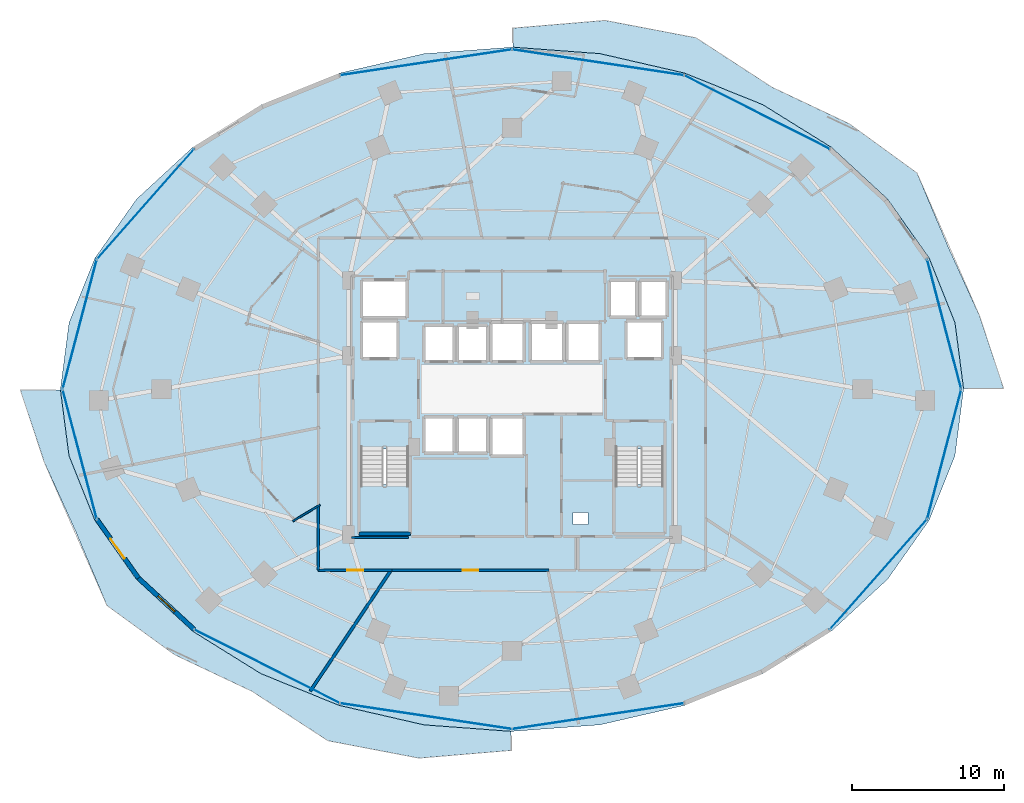
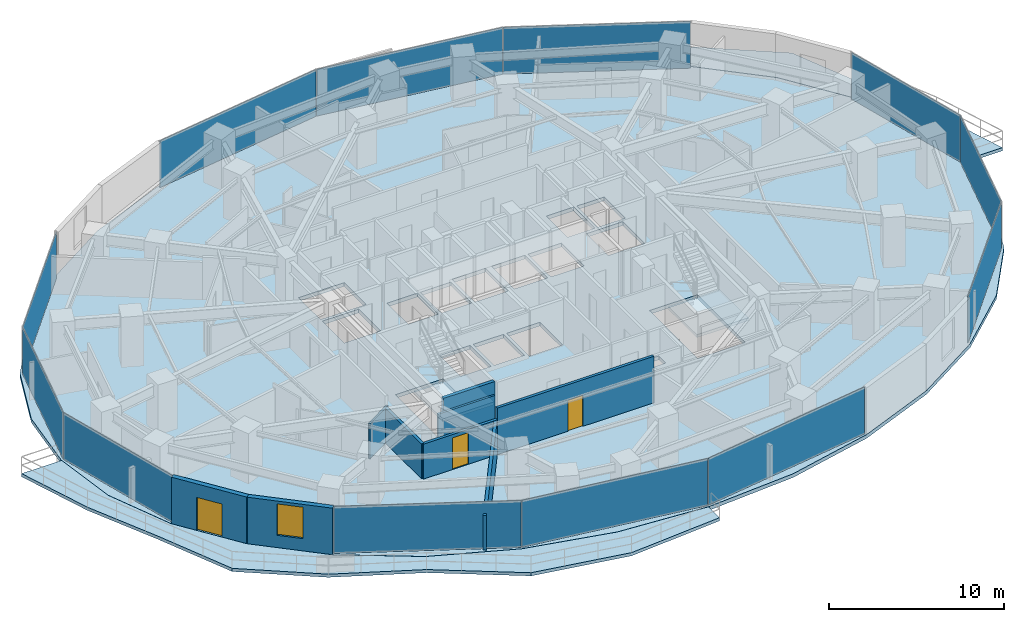
# One storey, part 25 of 33: 12 plates, 9 walls, 5 slabs, 3 doors, 1 window, 4 openings, 6 elements without a shape of their own.
"""IFC4 building model written with IfcOpenShell, lengths in metres."""

from ifc_helpers import new_model, si_unit, direction, frame, frame_2d, origin, origin_2d, place, context, subcontext, project, spatial, polyline, rectangle, outline, extrude, material, layer, layer_set, type_object, element, fill, aggregate, save


model = new_model("IFC4")

# Units and contexts
model_context = context("Model", 3, precision=1e-05, world=origin(), true_north=direction((0.0, 1.0)))
body_context = subcontext(model_context, "Body", "Model", "MODEL_VIEW")
ifc_project = project(units=[si_unit("LENGTHUNIT", "METRE"), si_unit("AREAUNIT", "SQUARE_METRE"), si_unit("VOLUMEUNIT", "CUBIC_METRE"), si_unit("PLANEANGLEUNIT", "RADIAN"), si_unit("MASSUNIT", "GRAM", prefix="KILO")], contexts=[model_context])

# Site, building, storey
site_placement = place(None, origin())
site = spatial("IfcSite", under=ifc_project, at=site_placement, CompositionType="ELEMENT")
building_placement = place(site_placement, origin())
building = spatial("IfcBuilding", under=site, at=building_placement, Name="Vorneva Point Tower", CompositionType="ELEMENT")
storey_placement = place(building_placement, frame((0.0, 0.0, 34.5)))
storey = spatial("IfcBuildingStorey", under=building, at=storey_placement, Name="L08", CompositionType="ELEMENT", Elevation=34.5)

# Curtain wall, plates
ifc_material_1 = material(Name="Pale anodised aluminium", Category="aluminium")
curtain_wall_type = type_object("IfcCurtainWallType", Name="CW-HTL-SYS", PredefinedType="NOTDEFINED", material=ifc_material_1)
curtain_wall_1_placement = place(storey_placement, origin())
curtain_wall_1 = element("IfcCurtainWall", 1, at=curtain_wall_1_placement, inside=storey, type_object=curtain_wall_type, Name="L08 Unitised Curtain Wall CW-L08-R01", PredefinedType="NOTDEFINED")
ifc_material_2 = material(Name="Double low-e laminated glass IGU", Category="glass")
ifc_layer_1 = layer(ifc_material_2, 0.035888671875)
ifc_layer_set_1 = layer_set([ifc_layer_1], Name="Double low-e laminated glass IGU")
plate_type = type_object("IfcPlateType", Name="CW-PNL-VIS", PredefinedType="CURTAIN_PANEL", material=ifc_layer_set_1)
plate_1_placement = place(storey_placement, frame((62.097900390625, 13.821533203125, -0.02001953125), z_axis=(0.0, 0.0, 1.0), x_axis=(0.662070857019, 0.749441245386, 0.0)))
plate_1 = element("IfcPlate", 2, at=plate_1_placement, type_object=plate_type, Name="CW-L08-R01 Glazed Panel 01", PredefinedType="CURTAIN_PANEL", context=body_context, shape_type="SweptSolid", body=[
    extrude(rectangle(XDim=9.625, YDim=0.035888671875, at=origin_2d()), origin(), (0.0, 0.0, 1.0), 3.280029296875),
])
plate_2_placement = place(storey_placement, frame((66.42529296875, 21.723388671875, -0.02001953125), z_axis=(0.0, 0.0, 1.0), x_axis=(0.254348767449, 0.967112560407, 0.0)))
plate_2 = element("IfcPlate", 3, at=plate_2_placement, type_object=plate_type, Name="CW-L08-R01 Glazed Panel 02", PredefinedType="CURTAIN_PANEL", context=body_context, shape_type="SweptSolid", body=[
    extrude(rectangle(XDim=8.793701171875, YDim=0.035888671875, at=origin_2d()), origin(), (0.0, 0.0, 1.0), 3.280029296875),
])
plate_3_placement = place(storey_placement, frame((66.42529296875, 30.276611328125, -0.02001953125), z_axis=(0.0, 0.0, 1.0), x_axis=(-0.254348767449, 0.967112560407, 0.0)))
plate_3 = element("IfcPlate", 4, at=plate_3_placement, type_object=plate_type, Name="CW-L08-R01 Glazed Panel 03", PredefinedType="CURTAIN_PANEL", context=body_context, shape_type="SweptSolid", body=[
    extrude(rectangle(XDim=8.793701171875, YDim=0.035888671875, at=origin_2d()), origin(), (0.0, 0.0, 1.0), 3.280029296875),
])
aggregate(curtain_wall_1, [plate_1, plate_2, plate_3])

curtain_wall_2_placement = place(storey_placement, origin())
curtain_wall_2 = element("IfcCurtainWall", 5, at=curtain_wall_2_placement, inside=storey, type_object=curtain_wall_type, Name="L08 Unitised Curtain Wall CW-L08-R02", PredefinedType="NOTDEFINED")
plate_4_placement = place(storey_placement, frame((54.101806640625, 44.226318359375, -0.02001953125), z_axis=(0.0, 0.0, 1.0), x_axis=(-0.892499239729, 0.451048896554, 0.0)))
plate_4 = element("IfcPlate", 6, at=plate_4_placement, type_object=plate_type, Name="CW-L08-R02 Glazed Panel 01", PredefinedType="CURTAIN_PANEL", context=body_context, shape_type="SweptSolid", body=[
    extrude(rectangle(XDim=10.69140625, YDim=0.035888671875, at=origin_2d()), origin(), (0.0, 0.0, 1.0), 3.280029296875),
])
plate_5_placement = place(storey_placement, frame((43.654296875, 47.499267578125, -0.02001953125), z_axis=(0.0, 0.0, 1.0), x_axis=(-0.988870924381, 0.148775989034, 0.0)))
plate_5 = element("IfcPlate", 7, at=plate_5_placement, type_object=plate_type, Name="CW-L08-R02 Glazed Panel 02", PredefinedType="CURTAIN_PANEL", context=body_context, shape_type="SweptSolid", body=[
    extrude(rectangle(XDim=11.385498046875, YDim=0.035888671875, at=origin_2d()), origin(), (0.0, 0.0, 1.0), 3.280029296875),
])
plate_6_placement = place(storey_placement, frame((32.345703125, 47.499267578125, -0.02001953125), z_axis=(0.0, 0.0, 1.0), x_axis=(-0.988870924381, -0.148775989034, 0.0)))
plate_6 = element("IfcPlate", 8, at=plate_6_placement, type_object=plate_type, Name="CW-L08-R02 Glazed Panel 03", PredefinedType="CURTAIN_PANEL", context=body_context, shape_type="SweptSolid", body=[
    extrude(rectangle(XDim=11.385498046875, YDim=0.035888671875, at=origin_2d()), origin(), (0.0, 0.0, 1.0), 3.280029296875),
])
aggregate(curtain_wall_2, [plate_4, plate_5, plate_6])

curtain_wall_3_placement = place(storey_placement, origin())
curtain_wall_3 = element("IfcCurtainWall", 9, at=curtain_wall_3_placement, inside=storey, type_object=curtain_wall_type, Name="L08 Unitised Curtain Wall CW-L08-R03", PredefinedType="NOTDEFINED")
plate_7_placement = place(storey_placement, frame((13.902099609375, 38.178466796875, -0.02001953125), z_axis=(0.0, 0.0, 1.0), x_axis=(-0.662070857019, -0.749441245386, 0.0)))
plate_7 = element("IfcPlate", 10, at=plate_7_placement, type_object=plate_type, Name="CW-L08-R03 Glazed Panel 01", PredefinedType="CURTAIN_PANEL", context=body_context, shape_type="SweptSolid", body=[
    extrude(rectangle(XDim=9.625, YDim=0.035888671875, at=origin_2d()), origin(), (0.0, 0.0, 1.0), 3.280029296875),
])
plate_8_placement = place(storey_placement, frame((9.57470703125, 30.276611328125, -0.02001953125), z_axis=(0.0, 0.0, 1.0), x_axis=(-0.254348767449, -0.967112560407, 0.0)))
plate_8 = element("IfcPlate", 11, at=plate_8_placement, type_object=plate_type, Name="CW-L08-R03 Glazed Panel 02", PredefinedType="CURTAIN_PANEL", context=body_context, shape_type="SweptSolid", body=[
    extrude(rectangle(XDim=8.793701171875, YDim=0.035888671875, at=origin_2d()), origin(), (0.0, 0.0, 1.0), 3.280029296875),
])
plate_9_placement = place(storey_placement, frame((9.57470703125, 21.723388671875, -0.02001953125), z_axis=(0.0, 0.0, 1.0), x_axis=(0.254348767449, -0.967112560407, 0.0)))
plate_9 = element("IfcPlate", 12, at=plate_9_placement, type_object=plate_type, Name="CW-L08-R03 Glazed Panel 03", PredefinedType="CURTAIN_PANEL", context=body_context, shape_type="SweptSolid", body=[
    extrude(rectangle(XDim=8.793701171875, YDim=0.035888671875, at=origin_2d()), origin(), (0.0, 0.0, 1.0), 3.280029296875),
])
aggregate(curtain_wall_3, [plate_7, plate_8, plate_9])

curtain_wall_4_placement = place(storey_placement, origin())
curtain_wall_4 = element("IfcCurtainWall", 13, at=curtain_wall_4_placement, inside=storey, type_object=curtain_wall_type, Name="L08 Unitised Curtain Wall CW-L08-R04", PredefinedType="NOTDEFINED")
plate_10_placement = place(storey_placement, frame((21.8984375, 7.773681640625, -0.02001953125), z_axis=(0.0, 0.0, 1.0), x_axis=(0.892499239729, -0.451048896554, 0.0)))
plate_10 = element("IfcPlate", 14, at=plate_10_placement, type_object=plate_type, Name="CW-L08-R04 Glazed Panel 01", PredefinedType="CURTAIN_PANEL", context=body_context, shape_type="SweptSolid", body=[
    extrude(rectangle(XDim=10.69140625, YDim=0.035888671875, at=origin_2d()), origin(), (0.0, 0.0, 1.0), 3.280029296875),
])
plate_11_placement = place(storey_placement, frame((32.345703125, 4.500732421875, -0.02001953125), z_axis=(0.0, 0.0, 1.0), x_axis=(0.988870924381, -0.148775989034, 0.0)))
plate_11 = element("IfcPlate", 15, at=plate_11_placement, type_object=plate_type, Name="CW-L08-R04 Glazed Panel 02", PredefinedType="CURTAIN_PANEL", context=body_context, shape_type="SweptSolid", body=[
    extrude(rectangle(XDim=11.385498046875, YDim=0.035888671875, at=origin_2d()), origin(), (0.0, 0.0, 1.0), 3.280029296875),
])
plate_12_placement = place(storey_placement, frame((43.654296875, 4.500732421875, -0.02001953125), z_axis=(0.0, 0.0, 1.0), x_axis=(0.988870924381, 0.148775989034, 0.0)))
plate_12 = element("IfcPlate", 16, at=plate_12_placement, type_object=plate_type, Name="CW-L08-R04 Glazed Panel 03", PredefinedType="CURTAIN_PANEL", context=body_context, shape_type="SweptSolid", body=[
    extrude(rectangle(XDim=11.385498046875, YDim=0.035888671875, at=origin_2d()), origin(), (0.0, 0.0, 1.0), 3.280029296875),
])
aggregate(curtain_wall_4, [plate_10, plate_11, plate_12])

# Slabs
ifc_material_3 = material(Name="Concrete B50 (C40/50)", Category="concrete")
ifc_layer_2 = layer(ifc_material_3, 0.219970703125)
ifc_layer_set_2 = layer_set([ifc_layer_2], Name="Concrete B50 (C40/50)")
slab_type_1 = type_object("IfcSlabType", Name="SLB-BAL-220", PredefinedType="FLOOR", material=ifc_layer_set_2)
slab_1_placement = place(storey_placement, frame((0.0, 0.0, -0.219970703125)))
element("IfcSlab", 17, at=slab_1_placement, inside=storey, type_object=slab_type_1, Name="L08 Cantilevered Wave Balcony NE", PredefinedType="FLOOR", context=body_context, shape_type="SweptSolid", body=[
    extrude(outline(polyline([(38.050048828125, 49.754150390625), (38.050048828125, 48.500244140625), (43.79443359375, 48.07177734375), (43.794921875, 48.07177734375), (43.795166015625, 48.071533203125), (49.36669921875, 46.791259765625), (49.366943359375, 46.791015625), (49.3671875, 46.791015625), (54.501953125, 44.7119140625), (54.502197265625, 44.711669921875), (54.50244140625, 44.71142578125), (59.003173828125, 41.913330078125), (59.00341796875, 41.9130859375), (59.00390625, 41.912841796875), (62.697265625, 38.503173828125), (62.697509765625, 38.5029296875), (62.697998046875, 38.502685546875), (65.4423828125, 34.61279296875), (65.442626953125, 34.6123046875), (65.44287109375, 34.61181640625), (67.133056640625, 30.39111328125), (67.133056640625, 30.390625), (67.13330078125, 30.390380859375), (67.13330078125, 30.389892578125), (67.697509765625, 26.050048828125), (70.33349609375, 26.050048828125), (68.75634765625, 30.816650390625), (66.7158203125, 35.308349609375), (64.64208984375, 40.218017578125), (60.1787109375, 43.464111328125), (55.089111328125, 45.870849609375), (50.09765625, 49.1201171875), (44.124755859375, 50.2607421875), (38.050048828125, 49.754150390625)])), origin(), (0.0, 0.0, 1.0), 0.219970703125),
])
slab_2_placement = place(storey_placement, frame((0.0, 0.0, -0.219970703125)))
element("IfcSlab", 18, at=slab_2_placement, inside=storey, type_object=slab_type_1, Name="L08 Cantilevered Wave Balcony SW", PredefinedType="FLOOR", context=body_context, shape_type="SweptSolid", body=[
    extrude(outline(polyline([(37.949951171875, 2.245849609375), (37.949951171875, 3.499755859375), (32.20556640625, 3.92822265625), (32.205078125, 3.92822265625), (32.204833984375, 3.928466796875), (26.63330078125, 5.208740234375), (26.633056640625, 5.208984375), (26.6328125, 5.208984375), (21.498046875, 7.2880859375), (21.497802734375, 7.288330078125), (21.49755859375, 7.28857421875), (16.996826171875, 10.086669921875), (16.99658203125, 10.0869140625), (16.99609375, 10.087158203125), (13.302734375, 13.496826171875), (13.302490234375, 13.4970703125), (13.302001953125, 13.497314453125), (10.5576171875, 17.38720703125), (10.557373046875, 17.3876953125), (10.55712890625, 17.38818359375), (8.866943359375, 21.60888671875), (8.866943359375, 21.609375), (8.86669921875, 21.609619140625), (8.86669921875, 21.610107421875), (8.302490234375, 25.949951171875), (5.66650390625, 25.949951171875), (7.24365234375, 21.183349609375), (9.2841796875, 16.691650390625), (11.35791015625, 11.781982421875), (15.8212890625, 8.535888671875), (20.910888671875, 6.129150390625), (25.90234375, 2.8798828125), (31.875244140625, 1.7392578125), (37.949951171875, 2.245849609375)])), origin(), (0.0, 0.0, 1.0), 0.219970703125),
])

# Stair, slab
stair_type = type_object("IfcStairType", Name="ST-DOG-1500", PredefinedType="HALF_TURN_STAIR", material=ifc_material_3)
stair_1_placement = place(storey_placement, origin())
stair_1 = element("IfcStair", 19, at=stair_1_placement, inside=storey, type_object=stair_type, Name="L08 ST1", PredefinedType="HALF_TURN_STAIR")
ifc_layer_3 = layer(ifc_material_3, 0.199951171875)
ifc_layer_set_3 = layer_set([ifc_layer_3], Name="Concrete B50 (C40/50)")
slab_type_2 = type_object("IfcSlabType", Name="SLB-LND-200", PredefinedType="LANDING", material=ifc_layer_set_3)
slab_3_placement = place(storey_placement, frame((0.0, 0.0, 1.550048828125)))
slab_3 = element("IfcSlab", 20, at=slab_3_placement, type_object=slab_type_2, Name="ST1 landing 1", PredefinedType="LANDING", context=body_context, shape_type="SweptSolid", body=[
    extrude(outline(polyline([(27.929931640625, 16.47998046875), (31.320068359375, 16.47998046875), (31.320068359375, 19.72998046875), (27.929931640625, 19.72998046875), (27.929931640625, 16.47998046875)])), origin(), (0.0, 0.0, 1.0), 0.199951171875),
])
aggregate(stair_1, [slab_3])

stair_2_placement = place(storey_placement, origin())
stair_2 = element("IfcStair", 21, at=stair_2_placement, inside=storey, type_object=stair_type, Name="L08 ST2", PredefinedType="HALF_TURN_STAIR")
slab_4_placement = place(storey_placement, frame((0.0, 0.0, 1.550048828125)))
slab_4 = element("IfcSlab", 22, at=slab_4_placement, type_object=slab_type_2, Name="ST2 landing 1", PredefinedType="LANDING", context=body_context, shape_type="SweptSolid", body=[
    extrude(outline(polyline([(44.679931640625, 16.47998046875), (48.070068359375, 16.47998046875), (48.070068359375, 19.72998046875), (44.679931640625, 19.72998046875), (44.679931640625, 16.47998046875)])), origin(), (0.0, 0.0, 1.0), 0.199951171875),
])
aggregate(stair_2, [slab_4])

# Slab
ifc_layer_4 = layer(ifc_material_3, 0.260009765625)
ifc_layer_set_4 = layer_set([ifc_layer_4], Name="Concrete B50 (C40/50)")
slab_type_3 = type_object("IfcSlabType", Name="SLB-TYP-260", PredefinedType="FLOOR", material=ifc_layer_set_4)
slab_5_placement = place(storey_placement, frame((0.0, 0.0, -0.260009765625)))
element("IfcSlab", 23, at=slab_5_placement, inside=storey, type_object=slab_type_3, Name="L08 Structural Floor Plate", PredefinedType="FLOOR", context=body_context, shape_type="SweptSolid", body=[
    extrude(outline(polyline([(67.699951171875, 26.0), (67.12939453125, 30.389404296875), (65.439208984375, 34.6103515625), (62.694580078125, 38.500244140625), (59.001220703125, 41.909912109375), (54.50048828125, 44.7080078125), (49.36572265625, 46.787353515625), (43.794189453125, 48.067626953125), (38.0, 48.5), (32.205810546875, 48.067626953125), (26.63427734375, 46.787353515625), (21.49951171875, 44.7080078125), (16.998779296875, 41.909912109375), (13.305419921875, 38.500244140625), (10.560791015625, 34.6103515625), (8.87060546875, 30.389404296875), (8.300048828125, 26.0), (8.87060546875, 21.610595703125), (10.560791015625, 17.3896484375), (13.305419921875, 13.499755859375), (16.998779296875, 10.090087890625), (21.49951171875, 7.2919921875), (26.63427734375, 5.212646484375), (32.205810546875, 3.932373046875), (38.0, 3.5), (43.794189453125, 3.932373046875), (49.36572265625, 5.212646484375), (54.50048828125, 7.2919921875), (59.001220703125, 10.090087890625), (62.694580078125, 13.499755859375), (65.439208984375, 17.3896484375), (67.12939453125, 21.610595703125), (67.699951171875, 26.0)]), holes=[polyline([(32.199951171875, 27.800048828125), (34.199951171875, 27.800048828125), (34.199951171875, 30.199951171875), (32.199951171875, 30.199951171875), (32.199951171875, 27.800048828125)]), polyline([(34.39990234375, 27.800048828125), (36.39990234375, 27.800048828125), (36.39990234375, 30.199951171875), (34.39990234375, 30.199951171875), (34.39990234375, 27.800048828125)]), polyline([(36.60009765625, 27.800048828125), (38.800048828125, 27.800048828125), (38.800048828125, 30.39990234375), (36.60009765625, 30.39990234375), (36.60009765625, 27.800048828125)]), polyline([(32.199951171875, 21.800048828125), (34.199951171875, 21.800048828125), (34.199951171875, 24.199951171875), (32.199951171875, 24.199951171875), (32.199951171875, 21.800048828125)]), polyline([(34.39990234375, 21.800048828125), (36.39990234375, 21.800048828125), (36.39990234375, 24.199951171875), (34.39990234375, 24.199951171875), (34.39990234375, 21.800048828125)]), polyline([(36.60009765625, 21.60009765625), (38.800048828125, 21.60009765625), (38.800048828125, 24.199951171875), (36.60009765625, 24.199951171875), (36.60009765625, 21.60009765625)]), polyline([(39.199951171875, 27.800048828125), (41.39990234375, 27.800048828125), (41.39990234375, 30.39990234375), (39.199951171875, 30.39990234375), (39.199951171875, 27.800048828125)]), polyline([(41.60009765625, 27.800048828125), (43.800048828125, 27.800048828125), (43.800048828125, 30.39990234375), (41.60009765625, 30.39990234375), (41.60009765625, 27.800048828125)]), polyline([(44.39990234375, 30.739990234375), (46.199951171875, 30.739990234375), (46.199951171875, 33.159912109375), (44.39990234375, 33.159912109375), (44.39990234375, 30.739990234375)]), polyline([(46.39990234375, 30.739990234375), (48.199951171875, 30.739990234375), (48.199951171875, 33.159912109375), (46.39990234375, 33.159912109375), (46.39990234375, 30.739990234375)]), polyline([(28.10009765625, 28.0), (30.5, 28.0), (30.5, 30.5), (28.10009765625, 30.5), (28.10009765625, 28.0)]), polyline([(45.5, 28.0), (47.89990234375, 28.0), (47.89990234375, 30.5), (45.5, 30.5), (45.5, 28.0)]), polyline([(28.10009765625, 30.699951171875), (31.10009765625, 30.699951171875), (31.10009765625, 33.199951171875), (28.10009765625, 33.199951171875), (28.10009765625, 30.699951171875)]), polyline([(28.050048828125, 16.60009765625), (31.199951171875, 16.60009765625), (31.199951171875, 22.080078125), (28.050048828125, 22.080078125), (28.050048828125, 16.60009765625)]), polyline([(44.800048828125, 16.60009765625), (47.949951171875, 16.60009765625), (47.949951171875, 22.080078125), (44.800048828125, 22.080078125), (44.800048828125, 16.60009765625)]), polyline([(42.0, 17.10009765625), (43.0, 17.10009765625), (43.0, 17.89990234375), (42.0, 17.89990234375), (42.0, 17.10009765625)])]), origin(), (0.0, 0.0, 1.0), 0.260009765625),
])

# Wall, opening, door
ifc_material_4 = material(Name="Precast concrete B50 (C40/50)", Category="concrete")
ifc_layer_5 = layer(ifc_material_4, 0.300048828125)
ifc_layer_set_5 = layer_set([ifc_layer_5], Name="Precast concrete B50 (C40/50)")
wall_type_1 = type_object("IfcWallType", Name="WL-EXT-300", PredefinedType="STANDARD", material=ifc_layer_set_5)
wall_1_placement = place(storey_placement, frame((10.699462890625, 17.447021484375, 0.0), z_axis=(0.0, 0.0, 1.0), x_axis=(0.577130815624, -0.816651713803, 0.0)))
wall_1 = element("IfcWall", 24, at=wall_1_placement, inside=storey, type_object=wall_type_1, Name="L08 Pale-Metal Facade Spandrel Wall 10.1", PredefinedType="STANDARD", context=body_context, shape_type="SweptSolid", body=[
    extrude(rectangle(XDim=4.7314453125, YDim=0.300048828125, at=frame_2d((2.36572265625, 0.0))), origin(), (0.0, 0.0, 1.0), 3.239990234375),
])
opening_1_placement = place(wall_1_placement, frame((1.56591796875, 0.0, 0.0)))
opening_1 = element("IfcOpeningElement", 25, at=opening_1_placement, cuts=wall_1, Name="Opening BD-01", PredefinedType="OPENING", context=body_context, shape_type="SweptSolid", body=[
    extrude(rectangle(XDim=1.60009765625, YDim=2.300048828125, at=frame_2d((0.800048828125, 1.14990234375))), frame((0.0, 0.1650390625, 0.0), z_axis=(0.0, -1.0, 0.0), x_axis=(1.0, 0.0, 0.0)), (0.0, 0.0, 1.0), 0.329833984375),
])
door_type_1 = type_object("IfcDoorType", Name="DR-BAL-1600", OperationType="SLIDING_TO_LEFT", PredefinedType="DOOR", material=ifc_material_1)
door_1_placement = place(opening_1_placement, origin())
door_1 = element("IfcDoor", 26, at=door_1_placement, inside=storey, type_object=door_type_1, Name="L08 Balcony Terrace Access Door 10", OperationType="SLIDING_TO_LEFT", OverallHeight=2.300048828125, OverallWidth=1.60009765625, PredefinedType="DOOR", context=body_context, shape_type="SweptSolid", body=[
    extrude(rectangle(XDim=1.60009765625, YDim=2.300048828125, at=frame_2d((0.800048828125, 1.14990234375))), frame((0.0, 0.02490234375, 0.0), z_axis=(0.0, -1.0, 0.0), x_axis=(1.0, 0.0, 0.0)), (0.0, 0.0, 1.0), 0.050048828125),
])
fill(opening_1, door_1)

# Wall, opening, window
wall_2_placement = place(storey_placement, frame((13.43017578125, 13.5830078125, 0.0), z_axis=(0.0, 0.0, 1.0), x_axis=(0.735342629635, -0.677695519419, 0.0)))
wall_2 = element("IfcWall", 27, at=wall_2_placement, inside=storey, type_object=wall_type_1, Name="L08 Pale-Metal Facade Spandrel Wall 10.2", PredefinedType="STANDARD", context=body_context, shape_type="SweptSolid", body=[
    extrude(rectangle(XDim=4.997314453125, YDim=0.300048828125, at=frame_2d((2.49853515625, 0.0))), origin(), (0.0, 0.0, 1.0), 3.239990234375),
])
opening_2_placement = place(wall_2_placement, frame((1.748779296875, 0.0, 0.85009765625)))
opening_2 = element("IfcOpeningElement", 28, at=opening_2_placement, cuts=wall_2, Name="Opening W-02", PredefinedType="OPENING", context=body_context, shape_type="SweptSolid", body=[
    extrude(rectangle(XDim=1.5, YDim=2.18994140625, at=frame_2d((0.75, 1.094970703125))), frame((0.0, 0.1650390625, 0.0), z_axis=(0.0, -1.0, 0.0), x_axis=(1.0, 0.0, 0.0)), (0.0, 0.0, 1.0), 0.329833984375),
])
window_type = type_object("IfcWindowType", Name="WN-HTL-1500", PartitioningType="SINGLE_PANEL", PredefinedType="WINDOW", material=ifc_material_2)
window_placement = place(opening_2_placement, origin())
window = element("IfcWindow", 29, at=window_placement, inside=storey, type_object=window_type, Name="L08 Facade Window 10", OverallHeight=2.18994140625, OverallWidth=1.5, PartitioningType="SINGLE_PANEL", PredefinedType="WINDOW", context=body_context, shape_type="SweptSolid", body=[
    extrude(rectangle(XDim=1.5, YDim=2.18994140625, at=frame_2d((0.75, 1.094970703125))), frame((0.0, 0.030029296875, 0.0), z_axis=(0.0, -1.0, 0.0), x_axis=(1.0, 0.0, 0.0)), (0.0, 0.0, 1.0), 0.06005859375),
])
fill(opening_2, window)

# Walls
ifc_material_5 = material(Name="Fire-rated acoustic gypsum stud partition", Category="gypsum")
ifc_layer_6 = layer(ifc_material_5, 0.110107421875)
ifc_layer_set_6 = layer_set([ifc_layer_6], Name="Fire-rated acoustic gypsum stud partition")
wall_type_2 = type_object("IfcWallType", Name="WL-PART-110", PredefinedType="PARTITIONING", material=ifc_layer_set_6)
wall_3_placement = place(storey_placement, frame((25.369873046875, 18.396240234375, 0.0), z_axis=(0.0, 0.0, 1.0), x_axis=(-0.856631627837, -0.515928535932, 0.0)))
element("IfcWall", 30, at=wall_3_placement, inside=storey, type_object=wall_type_2, Name="L08 Interior Partition 080", PredefinedType="PARTITIONING", context=body_context, shape_type="SweptSolid", body=[
    extrude(rectangle(XDim=2.078857421875, YDim=0.110107421875, at=frame_2d((1.03955078125, 0.0))), origin(), (0.0, 0.0, 1.0), 2.431884765625),
])
ifc_layer_7 = layer(ifc_material_5, 0.139892578125)
ifc_layer_set_7 = layer_set([ifc_layer_7], Name="Fire-rated acoustic gypsum stud partition")
wall_type_3 = type_object("IfcWallType", Name="WL-PART-140", PredefinedType="PARTITIONING", material=ifc_layer_set_7)
wall_4_placement = place(storey_placement, frame((31.195068359375, 16.239990234375, 0.0), z_axis=(0.0, 0.0, 1.0), x_axis=(-1.0, 0.0, 0.0)))
element("IfcWall", 31, at=wall_4_placement, inside=storey, type_object=wall_type_3, Name="L08 Interior Closure Partition 098", PredefinedType="PARTITIONING", context=body_context, shape_type="SweptSolid", body=[
    extrude(rectangle(XDim=3.7451171875, YDim=0.139892578125, at=frame_2d((1.87255859375, 0.0))), origin(), (0.0, 0.0, 1.0), 2.431884765625),
])
ifc_material_6 = material(Name="Autoclaved aerated concrete blockwork", Category="masonry")
ifc_layer_8 = layer(ifc_material_6, 0.179931640625)
ifc_layer_set_8 = layer_set([ifc_layer_8], Name="Autoclaved aerated concrete blockwork")
wall_type_4 = type_object("IfcWallType", Name="WL-PART-180", PredefinedType="PARTITIONING", material=ifc_layer_set_8)
wall_5_placement = place(storey_placement, frame((25.25, 18.384033203125, 0.0), z_axis=(0.0, 0.0, 1.0), x_axis=(0.0, -1.0, 0.0)))
element("IfcWall", 32, at=wall_5_placement, inside=storey, type_object=wall_type_4, Name="L08 Interior Partition 033", PredefinedType="PARTITIONING", context=body_context, shape_type="SweptSolid", body=[
    extrude(rectangle(XDim=4.283935546875, YDim=0.179931640625, at=frame_2d((2.14208984375, 0.0))), origin(), (0.0, 0.0, 1.0), 2.431884765625),
])

# Wall, opening, door
wall_6_placement = place(storey_placement, frame((25.25, 14.10009765625, 0.0), z_axis=(0.0, 0.0, 1.0), x_axis=(1.0, 0.0, 0.0)))
wall_6 = element("IfcWall", 33, at=wall_6_placement, inside=storey, type_object=wall_type_4, Name="L08 Interior Partition 034", PredefinedType="PARTITIONING", context=body_context, shape_type="SweptSolid", body=[
    extrude(rectangle(XDim=4.85888671875, YDim=0.179931640625, at=frame_2d((2.429443359375, 0.0))), origin(), (0.0, 0.0, 1.0), 2.431884765625),
])
opening_3_placement = place(wall_6_placement, frame((1.904541015625, 0.0, 0.0)))
opening_3 = element("IfcOpeningElement", 34, at=opening_3_placement, cuts=wall_6, Name="Opening UD-02", PredefinedType="OPENING", context=body_context, shape_type="SweptSolid", body=[
    extrude(rectangle(XDim=1.050048828125, YDim=2.199951171875, at=frame_2d((0.52490234375, 1.10009765625))), frame((0.0, 0.10498046875, 0.0), z_axis=(0.0, -1.0, 0.0), x_axis=(1.0, 0.0, 0.0)), (0.0, 0.0, 1.0), 0.209716796875),
])
ifc_material_7 = material(Name="Engineered oak fire-rated door leaf", Category="wood")
door_type_2 = type_object("IfcDoorType", Name="DR-SUITE-1050", OperationType="NOTDEFINED", PredefinedType="DOOR", material=ifc_material_7)
door_2_placement = place(opening_3_placement, origin())
door_2 = element("IfcDoor", 35, at=door_2_placement, inside=storey, type_object=door_type_2, Name="L08 Door L08 Circulation Corridor / Corner Suite L08-05", OperationType="SINGLE_SWING_RIGHT", OverallHeight=2.199951171875, OverallWidth=1.050048828125, PredefinedType="DOOR", context=body_context, shape_type="SweptSolid", body=[
    extrude(rectangle(XDim=1.050048828125, YDim=2.199951171875, at=frame_2d((0.52490234375, 1.10009765625))), frame((0.0, 0.02490234375, 0.0), z_axis=(0.0, -1.0, 0.0), x_axis=(1.0, 0.0, 0.0)), (0.0, 0.0, 1.0), 0.050048828125),
])
fill(opening_3, door_2)

wall_7_placement = place(storey_placement, frame((30.10888671875, 14.10009765625, 0.0), z_axis=(0.0, 0.0, 1.0), x_axis=(1.0, 0.0, 0.0)))
wall_7 = element("IfcWall", 36, at=wall_7_placement, inside=storey, type_object=wall_type_4, Name="L08 Interior Partition 036", PredefinedType="PARTITIONING", context=body_context, shape_type="SweptSolid", body=[
    extrude(rectangle(XDim=10.319091796875, YDim=0.179931640625, at=frame_2d((5.15966796875, 0.0))), origin(), (0.0, 0.0, 1.0), 3.239990234375),
])
opening_4_placement = place(wall_7_placement, frame((4.659423828125, 0.0, 0.0)))
opening_4 = element("IfcOpeningElement", 37, at=opening_4_placement, cuts=wall_7, Name="Opening UD-01", PredefinedType="OPENING", context=body_context, shape_type="SweptSolid", body=[
    extrude(rectangle(XDim=1.0, YDim=2.14990234375, at=frame_2d((0.5, 1.074951171875))), frame((0.0, 0.10498046875, 0.0), z_axis=(0.0, -1.0, 0.0), x_axis=(1.0, 0.0, 0.0)), (0.0, 0.0, 1.0), 0.209716796875),
])
door_type_3 = type_object("IfcDoorType", Name="DR-UNIT-1000", OperationType="NOTDEFINED", PredefinedType="DOOR", material=ifc_material_7)
door_3_placement = place(opening_4_placement, origin())
door_3 = element("IfcDoor", 38, at=door_3_placement, inside=storey, type_object=door_type_3, Name="L08 Door L08 Circulation Corridor / Executive Meeting Room L08-06", OperationType="SINGLE_SWING_LEFT", OverallHeight=2.14990234375, OverallWidth=1.0, PredefinedType="DOOR", context=body_context, shape_type="SweptSolid", body=[
    extrude(rectangle(XDim=1.0, YDim=2.14990234375, at=frame_2d((0.5, 1.074951171875))), frame((0.0, 0.02490234375, 0.0), z_axis=(0.0, -1.0, 0.0), x_axis=(1.0, 0.0, 0.0)), (0.0, 0.0, 1.0), 0.050048828125),
])
fill(opening_4, door_3)

# Walls
ifc_layer_9 = layer(ifc_material_6, 0.199951171875)
ifc_layer_set_9 = layer_set([ifc_layer_9], Name="Autoclaved aerated concrete blockwork")
wall_type_5 = type_object("IfcWallType", Name="WL-PART-200", PredefinedType="PARTITIONING", material=ifc_layer_set_9)
wall_8_placement = place(storey_placement, frame((24.73291015625, 6.14404296875, 0.0), z_axis=(0.0, 0.0, 1.0), x_axis=(0.555577192504, 0.831464962082, 0.0)))
element("IfcWall", 39, at=wall_8_placement, inside=storey, type_object=wall_type_5, Name="L08 Interior Partition 083", PredefinedType="PARTITIONING", context=body_context, shape_type="SweptSolid", body=[
    extrude(rectangle(XDim=9.568603515625, YDim=0.199951171875, at=frame_2d((4.7841796875, 0.0))), origin(), (0.0, 0.0, 1.0), 2.431884765625),
])
ifc_layer_10 = layer(ifc_material_3, 0.219970703125)
ifc_layer_set_10 = layer_set([ifc_layer_10], Name="Concrete B50 (C40/50)")
wall_type_6 = type_object("IfcWallType", Name="WL-SHFT-220", PredefinedType="SOLIDWALL", material=ifc_layer_set_10)
wall_9_placement = place(storey_placement, frame((31.31005859375, 16.489990234375, 0.0), z_axis=(0.0, 0.0, 1.0), x_axis=(-1.0, 0.0, 0.0)))
element("IfcWall", 40, at=wall_9_placement, inside=storey, type_object=wall_type_6, Name="L08 Exit Stair ST1 Shaft Wall far", PredefinedType="SOLIDWALL", context=body_context, shape_type="SweptSolid", body=[
    extrude(rectangle(XDim=3.3701171875, YDim=0.219970703125, at=frame_2d((1.68505859375, 0.0))), origin(), (0.0, 0.0, 1.0), 3.239990234375),
])

save(model, "model.ifc")
